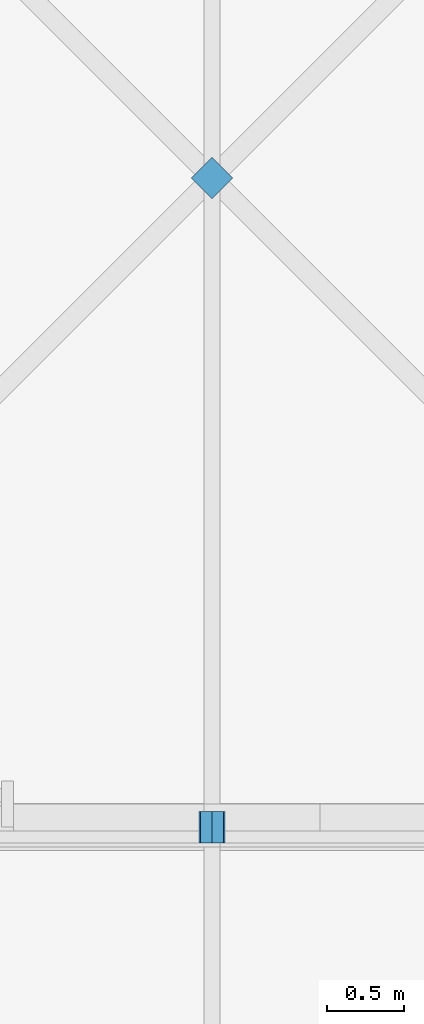
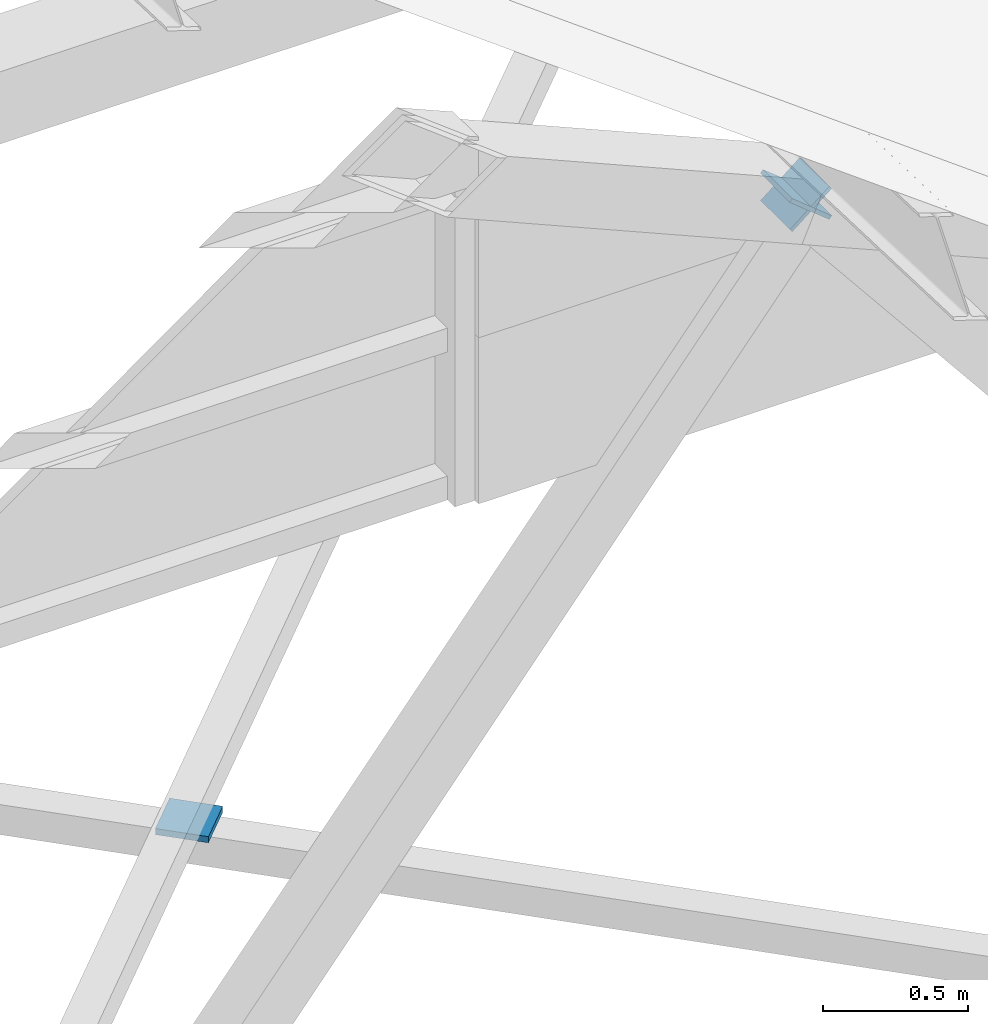
# One storey, part 42 of 76: 3 discrete accessories.
"""IFC4 building model written with IfcOpenShell, lengths in metres."""

from ifc_helpers import new_model, si_unit, direction, frame, origin, origin_2d, place, context, subcontext, project, spatial, rectangle, extrude, material, element, save


model = new_model("IFC4")

# Units and contexts
model_context = context("Model", 3, precision=1e-05, world=origin(), true_north=direction((0.0, 1.0)))
body_context = subcontext(model_context, "Body", "Model", "MODEL_VIEW")
ifc_project = project(units=[si_unit("LENGTHUNIT", "METRE"), si_unit("AREAUNIT", "SQUARE_METRE"), si_unit("VOLUMEUNIT", "CUBIC_METRE"), si_unit("PLANEANGLEUNIT", "RADIAN"), si_unit("MASSUNIT", "GRAM", prefix="KILO")], contexts=[model_context])

# Site, building, storey
site_placement = place(None, origin())
site = spatial("IfcSite", under=ifc_project, at=site_placement, CompositionType="ELEMENT")
building_placement = place(site_placement, origin())
building = spatial("IfcBuilding", under=site, at=building_placement, Name="Hlaing Beacon Police Headquarters", CompositionType="ELEMENT")
storey_placement = place(building_placement, frame((0.0, 0.0, 18.89990234375)))
storey = spatial("IfcBuildingStorey", under=building, at=storey_placement, Name="L04", CompositionType="ELEMENT", Elevation=18.89990234375)

# Discrete accessories
ifc_material = material(Name="Steel ASTM A572 Grade 50", Category="steel")
for number, where, z_axis, x_axis, name in (
    (1, (71.394775390625, 33.60009765625, 0.836181640625), (0.629086713526, 0.0, 0.777335131629), (0.0, 1.0, 0.0), "Gusset plate GP-248"),
    (2, (71.405029296875, 33.60009765625, 0.836181640625), (-0.629108809234, 0.0, 0.777317249354), (0.0, -1.0, 0.0), "Gusset plate GP-249"),
):
    element("IfcDiscreteAccessory", number, at=place(storey_placement, frame(where, z_axis=z_axis, x_axis=x_axis)), inside=storey, material=ifc_material, Name=name, PredefinedType="BRACKET", context=body_context, shape_type="SweptSolid", body=[
        extrude(rectangle(XDim=0.203125, YDim=0.203125, at=origin_2d()), origin(), (0.0, 0.0, 1.0), 0.01611328125),
    ])
discrete_accessory_placement = place(storey_placement, frame((71.39990234375, 37.800048828125, -4.360595703125), z_axis=(0.0, 0.0, 1.0), x_axis=(0.707106781187, 0.707106781187, 0.0)))
element("IfcDiscreteAccessory", 3, at=discrete_accessory_placement, inside=storey, material=ifc_material, Name="Node plate NP-002", PredefinedType="BRACKET", context=body_context, shape_type="SweptSolid", body=[
    extrude(rectangle(XDim=0.1904296875, YDim=0.1904296875, at=origin_2d()), origin(), (0.0, 0.0, 1.0), 0.02587890625),
])

save(model, "model.ifc")
